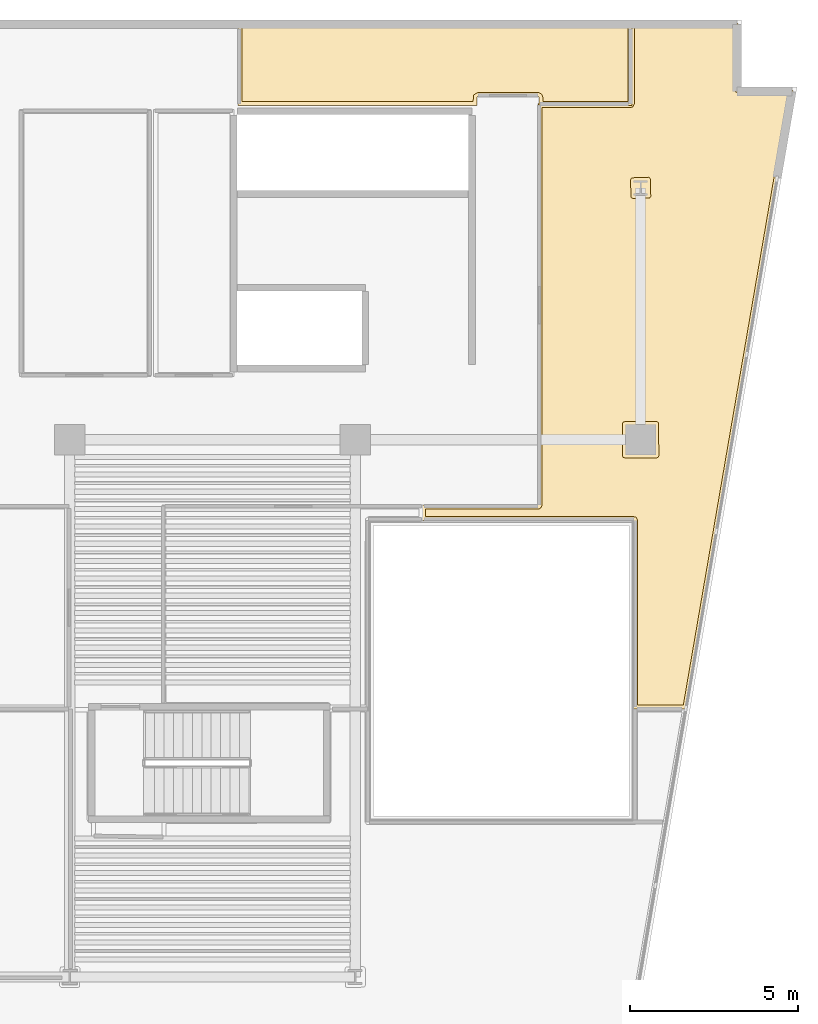
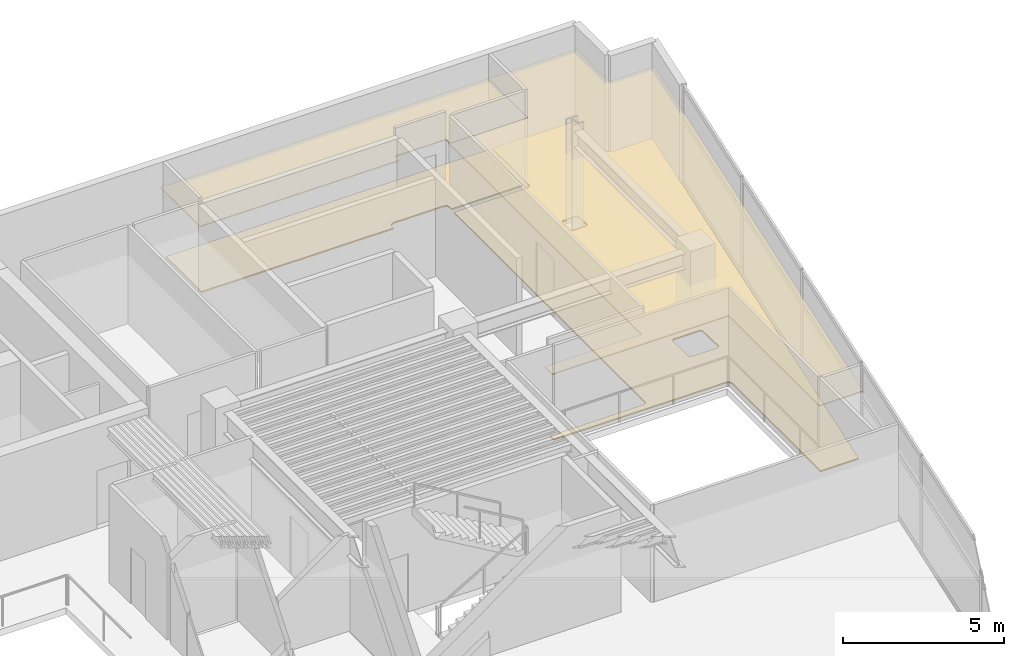
# One storey, part 10 of 10: 4 coverings.
"""IFC4 building model written with IfcOpenShell, lengths in metres."""

from ifc_helpers import new_model, si_unit, direction, frame, origin, place, context, subcontext, project, spatial, polyline, outline, extrude, material, layer, layer_set, type_object, element, save


model = new_model("IFC4")

# Units and contexts
model_context = context("Model", 3, precision=1e-05, world=origin(), true_north=direction((0.0, 1.0)))
body_context = subcontext(model_context, "Body", "Model", "MODEL_VIEW")
ifc_project = project(units=[si_unit("LENGTHUNIT", "METRE"), si_unit("AREAUNIT", "SQUARE_METRE"), si_unit("VOLUMEUNIT", "CUBIC_METRE"), si_unit("PLANEANGLEUNIT", "RADIAN"), si_unit("MASSUNIT", "GRAM", prefix="KILO")], contexts=[model_context])

# Site, building, storey
site_placement = place(None, origin())
site = spatial("IfcSite", under=ifc_project, at=site_placement, CompositionType="ELEMENT")
building_placement = place(site_placement, origin())
building = spatial("IfcBuilding", under=site, at=building_placement, Name="Caeloran Harvest Quay", CompositionType="ELEMENT")
storey_placement = place(building_placement, frame((0.0, 0.0, 183.75)))
storey = spatial("IfcBuildingStorey", under=building, at=storey_placement, Name="L43", CompositionType="ELEMENT", Elevation=183.75)

# Coverings
ifc_material_1 = material(Name="Perforated Mineral-Fibre Acoustic Ceiling Tile", Category="ceiling")
ifc_layer_1 = layer(ifc_material_1, 0.0400390625, Name="Perforated Mineral-Fibre Acoustic Ceiling Tile")
ifc_layer_set_1 = layer_set([ifc_layer_1], Name="Perforated Mineral-Fibre Acoustic Ceiling Tile")
covering_type_1 = type_object("IfcCoveringType", Name="COV-CEILING-ACOUSTIC", PredefinedType="CEILING", material=ifc_layer_set_1)
covering_1_placement = place(storey_placement, frame((0.0, 0.0, 2.60009765625)))
element("IfcCovering", 1, at=covering_1_placement, inside=storey, type_object=covering_type_1, Name="L43 Harbourfront Econometrics Laboratory Acoustic Ceiling", PredefinedType="CEILING", context=body_context, shape_type="SweptSolid", body=[
    extrude(outline(polyline([(39.469970703125, 41.198974609375), (39.448974609375, 41.219970703125), (37.64794921875, 41.219970703125), (37.630126953125, 41.201904296875), (37.6298828125, 40.9599609375), (30.510009765625, 40.9599609375), (30.510009765625, 43.39990234375), (42.239990234375, 43.39990234375), (42.239990234375, 40.9599609375), (39.469970703125, 40.9599609375), (39.469970703125, 41.198974609375)])), origin(), (0.0, 0.0, 1.0), 0.039794921875),
])
covering_2_placement = place(storey_placement, frame((0.0, 0.0, 2.60009765625)))
element("IfcCovering", 2, at=covering_2_placement, inside=storey, type_object=covering_type_1, Name="Records Archive Laboratory Acoustic Ceiling", PredefinedType="CEILING", context=body_context, shape_type="SweptSolid", body=[
    extrude(outline(polyline([(42.18994140625, 41.010009765625), (42.18994140625, 43.39990234375), (45.39990234375, 43.39990234375), (45.39990234375, 41.5009765625), (45.422607421875, 41.4365234375), (45.5009765625, 41.39990234375), (47.03759765625, 41.39990234375), (43.87158203125, 22.97998046875), (42.2900390625, 22.97998046875), (42.2900390625, 28.590087890625), (35.97998046875, 28.590087890625), (35.97998046875, 29.06005859375), (39.43994140625, 29.06005859375), (39.43994140625, 41.010009765625), (42.18994140625, 41.010009765625)])), origin(), (0.0, 0.0, 1.0), 0.039794921875),
])
ifc_material_2 = material(Name="Calcium-Sulphate Raised Access Floor and Terrazzo Finish", Category="flooring")
ifc_layer_2 = layer(ifc_material_2, 0.050048828125, Name="Calcium-Sulphate Raised Access Floor and Terrazzo Finish")
ifc_layer_set_2 = layer_set([ifc_layer_2], Name="Calcium-Sulphate Raised Access Floor and Terrazzo Finish")
covering_type_2 = type_object("IfcCoveringType", Name="COV-FLOOR-RAISED", PredefinedType="FLOORING", material=ifc_layer_set_2)
covering_3_placement = place(storey_placement, origin())
element("IfcCovering", 3, at=covering_3_placement, inside=storey, type_object=covering_type_2, Name="L43 Harbourfront Econometrics Laboratory Raised Finish Flooring", PredefinedType="FLOORING", context=body_context, shape_type="SweptSolid", body=[
    extrude(outline(polyline([(39.590087890625, 41.199951171875), (39.5517578125, 41.296142578125), (39.459716796875, 41.339599609375), (37.64990234375, 41.340087890625), (37.528564453125, 41.269287109375), (37.510009765625, 41.080078125), (30.6298828125, 41.080078125), (30.6298828125, 43.280029296875), (42.1201171875, 43.280029296875), (42.1201171875, 41.080078125), (39.590087890625, 41.080078125), (39.590087890625, 41.199951171875)])), origin(), (0.0, 0.0, 1.0), 0.050048828125),
])
covering_4_placement = place(storey_placement, origin())
element("IfcCovering", 4, at=covering_4_placement, inside=storey, type_object=covering_type_2, Name="Records Archive Laboratory Raised Finish Flooring", PredefinedType="FLOORING", context=body_context, shape_type="SweptSolid", body=[
    extrude(outline(polyline([(39.47802734375, 28.943603515625), (39.537353515625, 28.9833984375), (39.56005859375, 29.050048828125), (39.56005859375, 40.889892578125), (42.199951171875, 40.889892578125), (42.272705078125, 40.91748046875), (42.31005859375, 41.0), (42.31005859375, 43.280029296875), (45.280029296875, 43.280029296875), (45.280029296875, 41.49609375), (45.327392578125, 41.363525390625), (45.482421875, 41.28076171875), (46.895263671875, 41.280029296875), (43.7705078125, 23.10009765625), (42.409912109375, 23.10009765625), (42.409912109375, 28.60009765625), (42.3642578125, 28.689208984375), (42.300048828125, 28.7099609375), (36.10009765625, 28.7099609375), (36.10009765625, 28.93994140625), (39.47802734375, 28.943603515625)]), holes=[polyline([(43.044921875, 30.534912109375), (43.02685546875, 31.515869140625), (42.972900390625, 31.544677734375), (42.034912109375, 31.544921875), (41.978515625, 31.521484375), (41.955078125, 31.465087890625), (41.955078125, 30.534912109375), (41.978515625, 30.478515625), (42.034912109375, 30.455078125), (42.965087890625, 30.455078125), (43.021484375, 30.478515625), (43.044921875, 30.534912109375)]), polyline([(42.802490234375, 38.254150390625), (42.784912109375, 38.788818359375), (42.730712890625, 38.817626953125), (42.226318359375, 38.7998046875), (42.197021484375, 38.738037109375), (42.215087890625, 38.211181640625), (42.277099609375, 38.181884765625), (42.773681640625, 38.2001953125), (42.802490234375, 38.254150390625)])]), origin(), (0.0, 0.0, 1.0), 0.050048828125),
])

save(model, "model.ifc")
